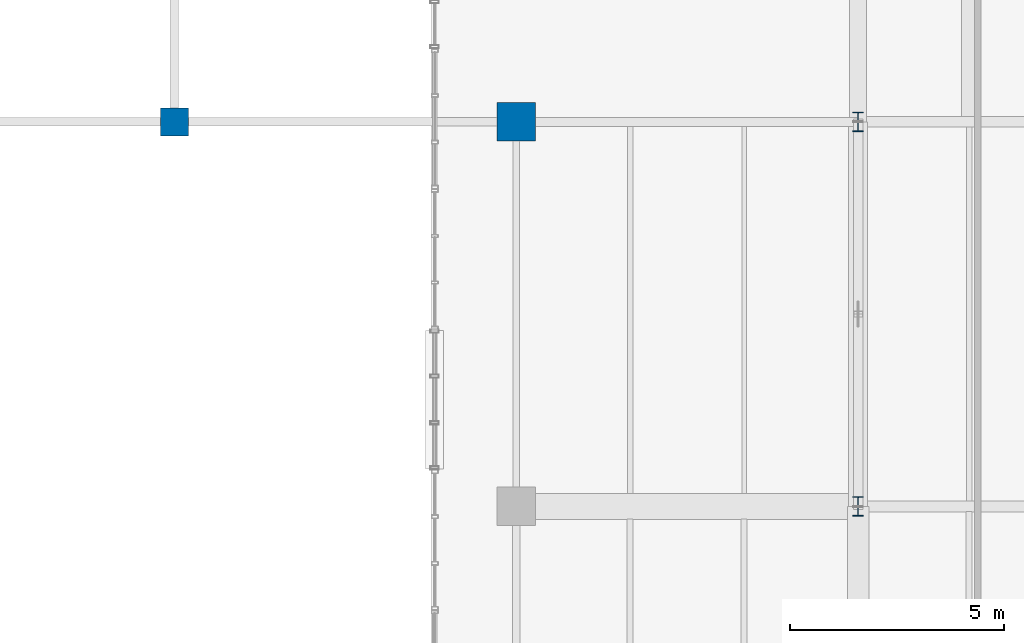
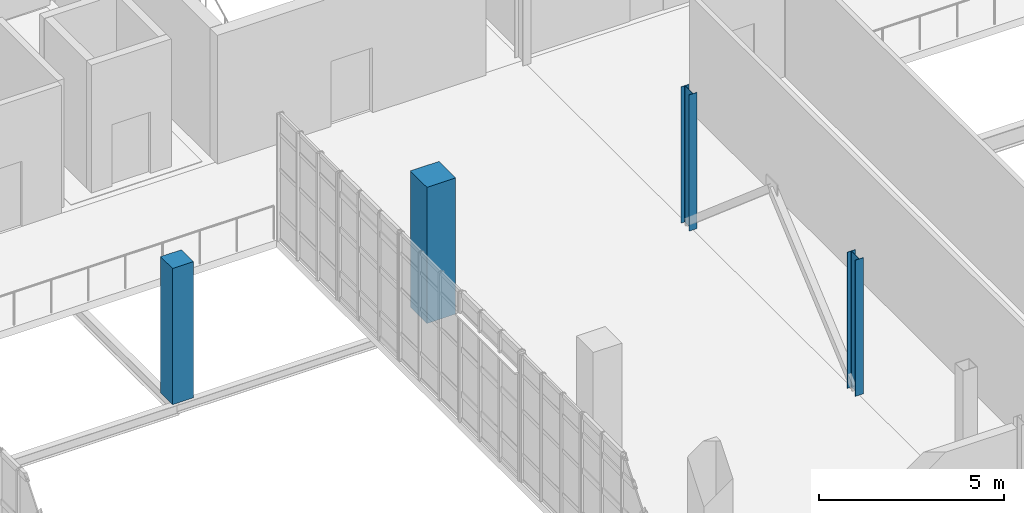
# One storey, part 3 of 85: 4 columns.
"""IFC4 building model written with IfcOpenShell, lengths in metres."""

from ifc_helpers import new_model, si_unit, derived_unit, direction, frame, origin, origin_2d, place, context, subcontext, project, spatial, rectangle, i_section, extrude, material, material_profile, profile_set, type_object, element, save


model = new_model("IFC4")

# Units and contexts
model_context = context("Model", 3, precision=1e-05, world=origin(), true_north=direction((0.0, 1.0)))
body_context = subcontext(model_context, "Body", "Model", "MODEL_VIEW")
ifc_project = project(units=[si_unit("LENGTHUNIT", "METRE"), si_unit("AREAUNIT", "SQUARE_METRE"), si_unit("VOLUMEUNIT", "CUBIC_METRE"), si_unit("PLANEANGLEUNIT", "RADIAN"), si_unit("MASSUNIT", "GRAM", prefix="KILO"), derived_unit("THERMALTRANSMITTANCEUNIT", [(si_unit("POWERUNIT", "WATT"), 1), (si_unit("LENGTHUNIT", "METRE"), -2), (si_unit("THERMODYNAMICTEMPERATUREUNIT", "KELVIN"), -1)])], contexts=[model_context])

# Site, building, storey
site_placement = place(None, origin())
site = spatial("IfcSite", under=ifc_project, at=site_placement, CompositionType="ELEMENT")
building_placement = place(site_placement, origin())
building = spatial("IfcBuilding", under=site, at=building_placement, Name="Nallur Shell Playhouse", CompositionType="ELEMENT")
storey_placement = place(building_placement, frame((0.0, 0.0, 19.800048828125)))
storey = spatial("IfcBuildingStorey", under=building, at=storey_placement, Name="L05", CompositionType="ELEMENT", Elevation=19.800048828125)

# Columns
ifc_material_1 = material(Name="Concrete M35", Category="concrete")
ifc_material_profile_1 = material_profile(ifc_material_1, rectangle(XDim=0.64990234375, YDim=0.64990234375, at=origin_2d()), Name="RC 650x650")
ifc_profile_set_1 = profile_set([ifc_material_profile_1], Name="Concrete M35")
column_type_1 = type_object("IfcColumnType", Name="CL-RC-650", PredefinedType="COLUMN", material=ifc_profile_set_1)
column_1_placement = place(storey_placement, frame((48.0, 65.0, 0.0), z_axis=(0.0, 0.0, 1.0), x_axis=(1.0, 0.0, 0.0)))
element("IfcColumn", 1, at=column_1_placement, inside=storey, type_object=column_type_1, Name="Column 6-H (L05)", PredefinedType="COLUMN", context=body_context, shape_type="SweptSolid", body=[
    extrude(rectangle(XDim=0.64990234375, YDim=0.64990234375, at=origin_2d()), origin(), (0.0, 0.0, 1.0), 4.5),
])
ifc_material_2 = material(Name="Concrete M40", Category="concrete")
ifc_material_profile_2 = material_profile(ifc_material_2, rectangle(XDim=0.89990234375, YDim=0.89990234375, at=origin_2d()), Name="RC 900x900")
ifc_profile_set_2 = profile_set([ifc_material_profile_2], Name="Concrete M40")
column_type_2 = type_object("IfcColumnType", Name="CL-RC-900", PredefinedType="COLUMN", material=ifc_profile_set_2)
column_2_placement = place(storey_placement, frame((56.0, 65.0, 0.0), z_axis=(0.0, 0.0, 1.0), x_axis=(1.0, 0.0, 0.0)))
element("IfcColumn", 2, at=column_2_placement, inside=storey, type_object=column_type_2, Name="Column 7-H (L05)", PredefinedType="COLUMN", context=body_context, shape_type="SweptSolid", body=[
    extrude(rectangle(XDim=0.89990234375, YDim=0.89990234375, at=origin_2d()), origin(), (0.0, 0.0, 1.0), 4.5),
])
ifc_material_3 = material(Name="Steel E350", Category="steel")
ifc_material_profile_3 = material_profile(ifc_material_3, i_section(OverallWidth=0.25, OverallDepth=0.449951171875, WebThickness=0.01123046875, FlangeThickness=0.013671875, FilletRadius=0.014892578125, at=origin_2d()), Name="ISHB 450")
ifc_profile_set_3 = profile_set([ifc_material_profile_3], Name="Steel E350")
column_type_3 = type_object("IfcColumnType", Name="CL-ST-ISHB450", PredefinedType="COLUMN", material=ifc_profile_set_3)
for number, where, z_axis, x_axis, name in (
    (3, (64.0, 56.0, 0.0), (0.0, 0.0, 1.0), (1.0, 0.0, 0.0), "Column 8-G (L05)"),
    (4, (64.0, 65.0, 0.0), (0.0, 0.0, 1.0), (1.0, 0.0, 0.0), "Column 8-H (L05)"),
):
    element("IfcColumn", number, at=place(storey_placement, frame(where, z_axis=z_axis, x_axis=x_axis)), inside=storey, type_object=column_type_3, Name=name, PredefinedType="COLUMN", context=body_context, shape_type="SweptSolid", body=[
        extrude(i_section(OverallWidth=0.25, OverallDepth=0.449951171875, WebThickness=0.01123046875, FlangeThickness=0.013671875, FilletRadius=0.014892578125, at=origin_2d()), origin(), (0.0, 0.0, 1.0), 4.5),
    ])

save(model, "model.ifc")
